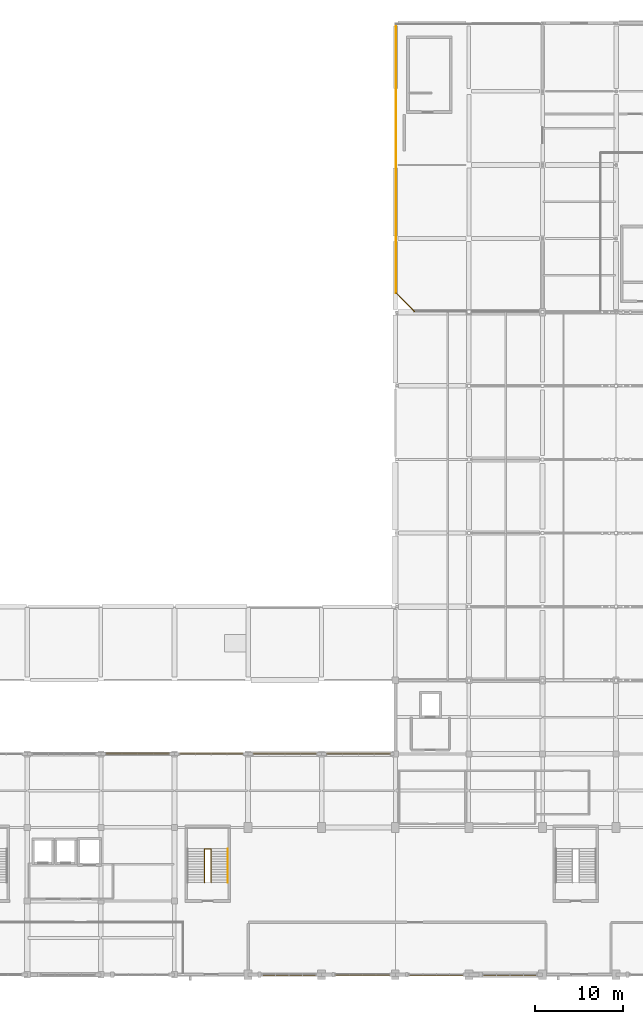
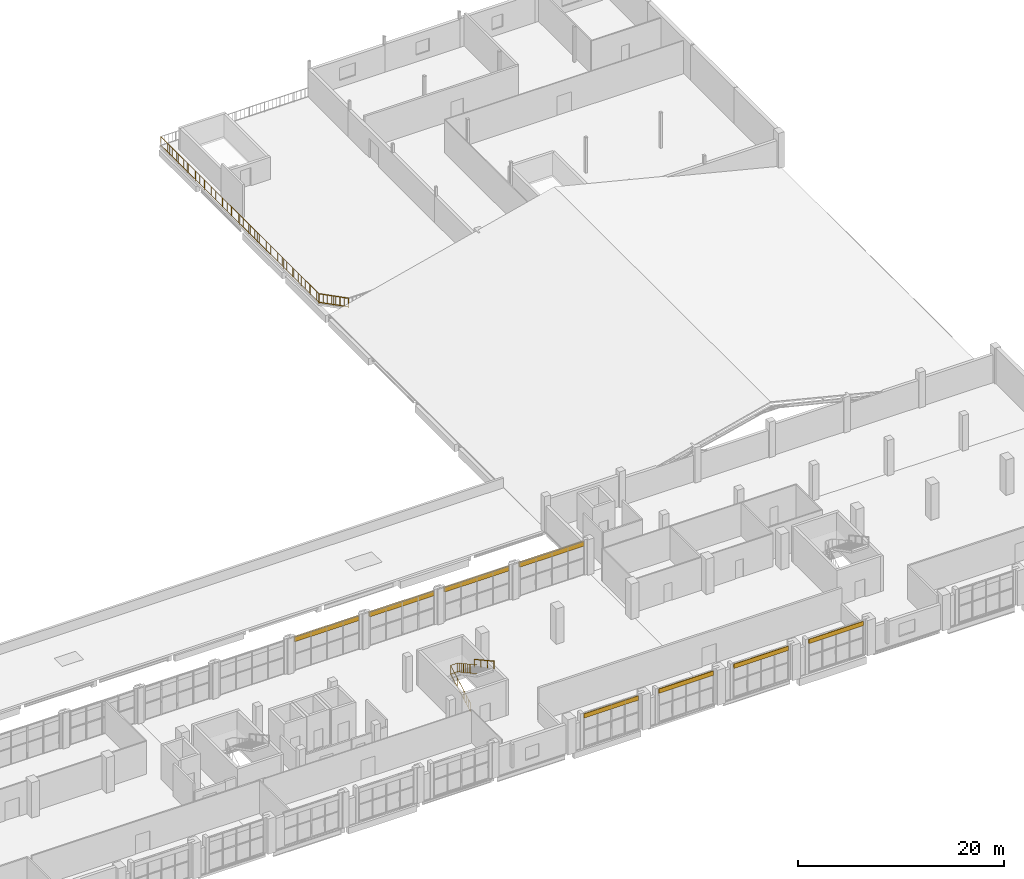
# One storey, part 62 of 64: 4 coverings, 4 railings, 4 shading devices.
"""IFC4 building model written with IfcOpenShell, lengths in metres."""

from ifc_helpers import new_model, si_unit, derived_unit, direction, frame, origin, origin_2d, place, context, subcontext, project, spatial, rectangle, circle, extrude, material, layer, layer_set, type_object, element, save


model = new_model("IFC4")

# Units and contexts
model_context = context("Model", 3, precision=1e-05, world=origin(), true_north=direction((0.0, 1.0)))
body_context = subcontext(model_context, "Body", "Model", "MODEL_VIEW")
ifc_project = project(units=[si_unit("LENGTHUNIT", "METRE"), si_unit("AREAUNIT", "SQUARE_METRE"), si_unit("VOLUMEUNIT", "CUBIC_METRE"), si_unit("PLANEANGLEUNIT", "RADIAN"), si_unit("MASSUNIT", "GRAM", prefix="KILO"), derived_unit("THERMALTRANSMITTANCEUNIT", [(si_unit("POWERUNIT", "WATT"), 1), (si_unit("LENGTHUNIT", "METRE"), -2), (si_unit("THERMODYNAMICTEMPERATUREUNIT", "KELVIN"), -1)])], contexts=[model_context])

# Site, building, storey
site_placement = place(None, origin())
site = spatial("IfcSite", under=ifc_project, at=site_placement, CompositionType="ELEMENT")
building_placement = place(site_placement, origin())
building = spatial("IfcBuilding", under=site, at=building_placement, Name="Barrovel Congress Hotel", CompositionType="ELEMENT")
storey_placement = place(building_placement, frame((0.0, 0.0, 14.10009765625)))
storey = spatial("IfcBuildingStorey", under=building, at=storey_placement, Name="L03", CompositionType="ELEMENT", Elevation=14.10009765625)

# Coverings
ifc_material_1 = material(Name="Glazed Terracotta Spandrel", Category="masonry")
ifc_layer_1 = layer(ifc_material_1, 0.1201171875)
ifc_layer_set_1 = layer_set([ifc_layer_1], Name="Glazed Terracotta Spandrel")
covering_type = type_object("IfcCoveringType", Name="COV-CLAD-TERRA", PredefinedType="CLADDING", material=ifc_layer_set_1)
for number, where, z_axis, x_axis, name in (
    (1, (113.8798828125, 4.14990234375, 3.409912109375), (0.0, 0.0, 1.0), (1.0, 0.0, 0.0), "CLAD:L03:S:13"),
    (2, (122.280029296875, 4.14990234375, 3.409912109375), (0.0, 0.0, 1.0), (1.0, 0.0, 0.0), "CLAD:L03:S:14"),
    (3, (130.679931640625, 4.14990234375, 3.409912109375), (0.0, 0.0, 1.0), (1.0, 0.0, 0.0), "CLAD:L03:S:15"),
    (4, (139.080078125, 4.14990234375, 3.409912109375), (0.0, 0.0, 1.0), (1.0, 0.0, 0.0), "CLAD:L03:S:16"),
):
    element("IfcCovering", number, at=place(storey_placement, frame(where, z_axis=z_axis, x_axis=x_axis)), inside=storey, type_object=covering_type, Name=name, PredefinedType="CLADDING", context=body_context, shape_type="SweptSolid", body=[
        extrude(rectangle(XDim=6.1201171875, YDim=0.1201171875, at=origin_2d()), origin(), (0.0, 0.0, 1.0), 0.52001953125),
    ])

# Railings
ifc_material_2 = material(Name="Painted Architectural Steel", Category="steel")
ifc_layer_2 = layer(ifc_material_2, 0.080078125)
ifc_layer_set_2 = layer_set([ifc_layer_2], Name="Painted Architectural Steel")
railing_type_1 = type_object("IfcRailingType", Name="RAIL-GUARD-EXT", PredefinedType="BALUSTRADE", material=ifc_layer_set_2)
railing_1_placement = place(storey_placement, frame((128.199951171875, 79.89990234375, 0.0)))
element("IfcRailing", 5, at=railing_1_placement, inside=storey, type_object=railing_type_1, Name="Spa Roof Terrace Guardrail 2", PredefinedType="BALUSTRADE", context=body_context, shape_type="SweptSolid", body=[
    extrude(circle(Radius=0.02392578125, at=origin_2d()), frame((0.0, 0.0, 1.11572265625), z_axis=(-0.707065676302, 0.707147883682, 0.0), x_axis=(-0.707147883682, -0.707065676302, 0.0)), (0.0, 0.0, 1.0), 2.9697265625),
    extrude(circle(Radius=0.02392578125, at=origin_2d()), frame((0.0, 0.0, 0.10009765625), z_axis=(-0.707065676302, 0.707147883682, 0.0), x_axis=(-0.707147883682, -0.707065676302, 0.0)), (0.0, 0.0, 1.0), 2.9697265625),
    extrude(circle(Radius=0.010009765625, at=origin_2d()), frame((-0.300048828125, 0.300048828125, 0.10009765625)), (0.0, 0.0, 1.0), 0.99169921875),
    extrude(circle(Radius=0.010009765625, at=origin_2d()), frame((-0.599853515625, 0.60009765625, 0.10009765625)), (0.0, 0.0, 1.0), 0.99169921875),
    extrude(circle(Radius=0.010009765625, at=origin_2d()), frame((-0.89990234375, 0.900146484375, 0.10009765625)), (0.0, 0.0, 1.0), 0.99169921875),
    extrude(circle(Radius=0.010009765625, at=origin_2d()), frame((-1.199951171875, 1.199951171875, 0.10009765625)), (0.0, 0.0, 1.0), 0.99169921875),
    extrude(circle(Radius=0.010009765625, at=origin_2d()), frame((-1.5, 1.5, 0.10009765625)), (0.0, 0.0, 1.0), 0.99169921875),
    extrude(circle(Radius=0.010009765625, at=origin_2d()), frame((-1.7998046875, 1.800048828125, 0.10009765625)), (0.0, 0.0, 1.0), 0.99169921875),
    extrude(circle(Radius=0.02099609375, at=origin_2d()), origin(), (0.0, 0.0, 1.0), 1.091796875),
    extrude(circle(Radius=0.02099609375, at=origin_2d()), frame((-1.0498046875, 1.050048828125, 0.0)), (0.0, 0.0, 1.0), 1.091796875),
    extrude(circle(Radius=0.02099609375, at=origin_2d()), frame((-2.099853515625, 2.10009765625, 0.0)), (0.0, 0.0, 1.0), 1.091796875),
])
railing_2_placement = place(storey_placement, frame((126.10009765625, 82.0, 0.0)))
element("IfcRailing", 6, at=railing_2_placement, inside=storey, type_object=railing_type_1, Name="Spa Roof Terrace Guardrail 3", PredefinedType="BALUSTRADE", context=body_context, shape_type="SweptSolid", body=[
    extrude(circle(Radius=0.02392578125, at=origin_2d()), frame((0.0, 0.0, 1.11572265625), z_axis=(0.0, 1.0, 0.0), x_axis=(-1.0, 0.0, 0.0)), (0.0, 0.0, 1.0), 30.699951171875),
    extrude(circle(Radius=0.02392578125, at=origin_2d()), frame((0.0, 0.0, 0.10009765625), z_axis=(0.0, 1.0, 0.0), x_axis=(-1.0, 0.0, 0.0)), (0.0, 0.0, 1.0), 30.699951171875),
    extrude(circle(Radius=0.010009765625, at=origin_2d()), frame((0.0, 0.44482421875, 0.10009765625)), (0.0, 0.0, 1.0), 0.99169921875),
    extrude(circle(Radius=0.010009765625, at=origin_2d()), frame((0.0, 0.889892578125, 0.10009765625)), (0.0, 0.0, 1.0), 0.99169921875),
    extrude(circle(Radius=0.010009765625, at=origin_2d()), frame((0.0, 1.334716796875, 0.10009765625)), (0.0, 0.0, 1.0), 0.99169921875),
    extrude(circle(Radius=0.010009765625, at=origin_2d()), frame((0.0, 1.77978515625, 0.10009765625)), (0.0, 0.0, 1.0), 0.99169921875),
    extrude(circle(Radius=0.010009765625, at=origin_2d()), frame((0.0, 2.224609375, 0.10009765625)), (0.0, 0.0, 1.0), 0.99169921875),
    extrude(circle(Radius=0.010009765625, at=origin_2d()), frame((0.0, 2.669677734375, 0.10009765625)), (0.0, 0.0, 1.0), 0.99169921875),
    extrude(circle(Radius=0.010009765625, at=origin_2d()), frame((0.0, 3.114501953125, 0.10009765625)), (0.0, 0.0, 1.0), 0.99169921875),
    extrude(circle(Radius=0.010009765625, at=origin_2d()), frame((0.0, 3.559326171875, 0.10009765625)), (0.0, 0.0, 1.0), 0.99169921875),
    extrude(circle(Radius=0.010009765625, at=origin_2d()), frame((0.0, 4.00439453125, 0.10009765625)), (0.0, 0.0, 1.0), 0.99169921875),
    extrude(circle(Radius=0.010009765625, at=origin_2d()), frame((0.0, 4.44921875, 0.10009765625)), (0.0, 0.0, 1.0), 0.99169921875),
    extrude(circle(Radius=0.010009765625, at=origin_2d()), frame((0.0, 4.894287109375, 0.10009765625)), (0.0, 0.0, 1.0), 0.99169921875),
    extrude(circle(Radius=0.010009765625, at=origin_2d()), frame((0.0, 5.339111328125, 0.10009765625)), (0.0, 0.0, 1.0), 0.99169921875),
    extrude(circle(Radius=0.010009765625, at=origin_2d()), frame((0.0, 5.783935546875, 0.10009765625)), (0.0, 0.0, 1.0), 0.99169921875),
    extrude(circle(Radius=0.010009765625, at=origin_2d()), frame((0.0, 6.22900390625, 0.10009765625)), (0.0, 0.0, 1.0), 0.99169921875),
    extrude(circle(Radius=0.010009765625, at=origin_2d()), frame((0.0, 6.673828125, 0.10009765625)), (0.0, 0.0, 1.0), 0.99169921875),
    extrude(circle(Radius=0.010009765625, at=origin_2d()), frame((0.0, 7.118896484375, 0.10009765625)), (0.0, 0.0, 1.0), 0.99169921875),
    extrude(circle(Radius=0.010009765625, at=origin_2d()), frame((0.0, 7.563720703125, 0.10009765625)), (0.0, 0.0, 1.0), 0.99169921875),
    extrude(circle(Radius=0.010009765625, at=origin_2d()), frame((0.0, 8.0087890625, 0.10009765625)), (0.0, 0.0, 1.0), 0.99169921875),
    extrude(circle(Radius=0.010009765625, at=origin_2d()), frame((0.0, 8.45361328125, 0.10009765625)), (0.0, 0.0, 1.0), 0.99169921875),
    extrude(circle(Radius=0.010009765625, at=origin_2d()), frame((0.0, 8.8984375, 0.10009765625)), (0.0, 0.0, 1.0), 0.99169921875),
    extrude(circle(Radius=0.010009765625, at=origin_2d()), frame((0.0, 9.343505859375, 0.10009765625)), (0.0, 0.0, 1.0), 0.99169921875),
    extrude(circle(Radius=0.010009765625, at=origin_2d()), frame((0.0, 9.788330078125, 0.10009765625)), (0.0, 0.0, 1.0), 0.99169921875),
    extrude(circle(Radius=0.010009765625, at=origin_2d()), frame((0.0, 10.2333984375, 0.10009765625)), (0.0, 0.0, 1.0), 0.99169921875),
    extrude(circle(Radius=0.010009765625, at=origin_2d()), frame((0.0, 10.67822265625, 0.10009765625)), (0.0, 0.0, 1.0), 0.99169921875),
    extrude(circle(Radius=0.010009765625, at=origin_2d()), frame((0.0, 11.123291015625, 0.10009765625)), (0.0, 0.0, 1.0), 0.99169921875),
    extrude(circle(Radius=0.010009765625, at=origin_2d()), frame((0.0, 11.568115234375, 0.10009765625)), (0.0, 0.0, 1.0), 0.99169921875),
    extrude(circle(Radius=0.010009765625, at=origin_2d()), frame((0.0, 12.012939453125, 0.10009765625)), (0.0, 0.0, 1.0), 0.99169921875),
    extrude(circle(Radius=0.010009765625, at=origin_2d()), frame((0.0, 12.4580078125, 0.10009765625)), (0.0, 0.0, 1.0), 0.99169921875),
    extrude(circle(Radius=0.010009765625, at=origin_2d()), frame((0.0, 12.90283203125, 0.10009765625)), (0.0, 0.0, 1.0), 0.99169921875),
    extrude(circle(Radius=0.010009765625, at=origin_2d()), frame((0.0, 13.347900390625, 0.10009765625)), (0.0, 0.0, 1.0), 0.99169921875),
    extrude(circle(Radius=0.010009765625, at=origin_2d()), frame((0.0, 13.792724609375, 0.10009765625)), (0.0, 0.0, 1.0), 0.99169921875),
    extrude(circle(Radius=0.010009765625, at=origin_2d()), frame((0.0, 14.237548828125, 0.10009765625)), (0.0, 0.0, 1.0), 0.99169921875),
    extrude(circle(Radius=0.010009765625, at=origin_2d()), frame((0.0, 14.6826171875, 0.10009765625)), (0.0, 0.0, 1.0), 0.99169921875),
    extrude(circle(Radius=0.010009765625, at=origin_2d()), frame((0.0, 15.12744140625, 0.10009765625)), (0.0, 0.0, 1.0), 0.99169921875),
    extrude(circle(Radius=0.010009765625, at=origin_2d()), frame((0.0, 15.572509765625, 0.10009765625)), (0.0, 0.0, 1.0), 0.99169921875),
    extrude(circle(Radius=0.010009765625, at=origin_2d()), frame((0.0, 16.017333984375, 0.10009765625)), (0.0, 0.0, 1.0), 0.99169921875),
    extrude(circle(Radius=0.010009765625, at=origin_2d()), frame((0.0, 16.46240234375, 0.10009765625)), (0.0, 0.0, 1.0), 0.99169921875),
    extrude(circle(Radius=0.010009765625, at=origin_2d()), frame((0.0, 16.9072265625, 0.10009765625)), (0.0, 0.0, 1.0), 0.99169921875),
    extrude(circle(Radius=0.010009765625, at=origin_2d()), frame((0.0, 17.35205078125, 0.10009765625)), (0.0, 0.0, 1.0), 0.99169921875),
    extrude(circle(Radius=0.010009765625, at=origin_2d()), frame((0.0, 17.797119140625, 0.10009765625)), (0.0, 0.0, 1.0), 0.99169921875),
    extrude(circle(Radius=0.010009765625, at=origin_2d()), frame((0.0, 18.241943359375, 0.10009765625)), (0.0, 0.0, 1.0), 0.99169921875),
    extrude(circle(Radius=0.010009765625, at=origin_2d()), frame((0.0, 18.68701171875, 0.10009765625)), (0.0, 0.0, 1.0), 0.99169921875),
    extrude(circle(Radius=0.010009765625, at=origin_2d()), frame((0.0, 19.1318359375, 0.10009765625)), (0.0, 0.0, 1.0), 0.99169921875),
    extrude(circle(Radius=0.010009765625, at=origin_2d()), frame((0.0, 19.57666015625, 0.10009765625)), (0.0, 0.0, 1.0), 0.99169921875),
    extrude(circle(Radius=0.010009765625, at=origin_2d()), frame((0.0, 20.021728515625, 0.10009765625)), (0.0, 0.0, 1.0), 0.99169921875),
    extrude(circle(Radius=0.010009765625, at=origin_2d()), frame((0.0, 20.466552734375, 0.10009765625)), (0.0, 0.0, 1.0), 0.99169921875),
    extrude(circle(Radius=0.010009765625, at=origin_2d()), frame((0.0, 20.91162109375, 0.10009765625)), (0.0, 0.0, 1.0), 0.99169921875),
    extrude(circle(Radius=0.010009765625, at=origin_2d()), frame((0.0, 21.3564453125, 0.10009765625)), (0.0, 0.0, 1.0), 0.99169921875),
    extrude(circle(Radius=0.010009765625, at=origin_2d()), frame((0.0, 21.801513671875, 0.10009765625)), (0.0, 0.0, 1.0), 0.99169921875),
    extrude(circle(Radius=0.010009765625, at=origin_2d()), frame((0.0, 22.246337890625, 0.10009765625)), (0.0, 0.0, 1.0), 0.99169921875),
    extrude(circle(Radius=0.010009765625, at=origin_2d()), frame((0.0, 22.691162109375, 0.10009765625)), (0.0, 0.0, 1.0), 0.99169921875),
    extrude(circle(Radius=0.010009765625, at=origin_2d()), frame((0.0, 23.13623046875, 0.10009765625)), (0.0, 0.0, 1.0), 0.99169921875),
    extrude(circle(Radius=0.010009765625, at=origin_2d()), frame((0.0, 23.5810546875, 0.10009765625)), (0.0, 0.0, 1.0), 0.99169921875),
    extrude(circle(Radius=0.010009765625, at=origin_2d()), frame((0.0, 24.026123046875, 0.10009765625)), (0.0, 0.0, 1.0), 0.99169921875),
    extrude(circle(Radius=0.010009765625, at=origin_2d()), frame((0.0, 24.470947265625, 0.10009765625)), (0.0, 0.0, 1.0), 0.99169921875),
    extrude(circle(Radius=0.010009765625, at=origin_2d()), frame((0.0, 24.916015625, 0.10009765625)), (0.0, 0.0, 1.0), 0.99169921875),
    extrude(circle(Radius=0.010009765625, at=origin_2d()), frame((0.0, 25.36083984375, 0.10009765625)), (0.0, 0.0, 1.0), 0.99169921875),
    extrude(circle(Radius=0.010009765625, at=origin_2d()), frame((0.0, 25.8056640625, 0.10009765625)), (0.0, 0.0, 1.0), 0.99169921875),
    extrude(circle(Radius=0.010009765625, at=origin_2d()), frame((0.0, 26.250732421875, 0.10009765625)), (0.0, 0.0, 1.0), 0.99169921875),
    extrude(circle(Radius=0.010009765625, at=origin_2d()), frame((0.0, 26.695556640625, 0.10009765625)), (0.0, 0.0, 1.0), 0.99169921875),
    extrude(circle(Radius=0.010009765625, at=origin_2d()), frame((0.0, 27.140625, 0.10009765625)), (0.0, 0.0, 1.0), 0.99169921875),
    extrude(circle(Radius=0.010009765625, at=origin_2d()), frame((0.0, 27.58544921875, 0.10009765625)), (0.0, 0.0, 1.0), 0.99169921875),
    extrude(circle(Radius=0.010009765625, at=origin_2d()), frame((0.0, 28.0302734375, 0.10009765625)), (0.0, 0.0, 1.0), 0.99169921875),
    extrude(circle(Radius=0.010009765625, at=origin_2d()), frame((0.0, 28.475341796875, 0.10009765625)), (0.0, 0.0, 1.0), 0.99169921875),
    extrude(circle(Radius=0.010009765625, at=origin_2d()), frame((0.0, 28.920166015625, 0.10009765625)), (0.0, 0.0, 1.0), 0.99169921875),
    extrude(circle(Radius=0.010009765625, at=origin_2d()), frame((0.0, 29.365234375, 0.10009765625)), (0.0, 0.0, 1.0), 0.99169921875),
    extrude(circle(Radius=0.010009765625, at=origin_2d()), frame((0.0, 29.81005859375, 0.10009765625)), (0.0, 0.0, 1.0), 0.99169921875),
    extrude(circle(Radius=0.010009765625, at=origin_2d()), frame((0.0, 30.255126953125, 0.10009765625)), (0.0, 0.0, 1.0), 0.99169921875),
    extrude(circle(Radius=0.02099609375, at=origin_2d()), origin(), (0.0, 0.0, 1.0), 1.091796875),
    extrude(circle(Radius=0.02099609375, at=origin_2d()), frame((0.0, 1.70556640625, 0.0)), (0.0, 0.0, 1.0), 1.091796875),
    extrude(circle(Radius=0.02099609375, at=origin_2d()), frame((0.0, 3.4111328125, 0.0)), (0.0, 0.0, 1.0), 1.091796875),
    extrude(circle(Radius=0.02099609375, at=origin_2d()), frame((0.0, 5.11669921875, 0.0)), (0.0, 0.0, 1.0), 1.091796875),
    extrude(circle(Radius=0.02099609375, at=origin_2d()), frame((0.0, 6.822265625, 0.0)), (0.0, 0.0, 1.0), 1.091796875),
    extrude(circle(Radius=0.02099609375, at=origin_2d()), frame((0.0, 8.52783203125, 0.0)), (0.0, 0.0, 1.0), 1.091796875),
    extrude(circle(Radius=0.02099609375, at=origin_2d()), frame((0.0, 10.2333984375, 0.0)), (0.0, 0.0, 1.0), 1.091796875),
    extrude(circle(Radius=0.02099609375, at=origin_2d()), frame((0.0, 11.93896484375, 0.0)), (0.0, 0.0, 1.0), 1.091796875),
    extrude(circle(Radius=0.02099609375, at=origin_2d()), frame((0.0, 13.64453125, 0.0)), (0.0, 0.0, 1.0), 1.091796875),
    extrude(circle(Radius=0.02099609375, at=origin_2d()), frame((0.0, 15.35009765625, 0.0)), (0.0, 0.0, 1.0), 1.091796875),
    extrude(circle(Radius=0.02099609375, at=origin_2d()), frame((0.0, 17.055419921875, 0.0)), (0.0, 0.0, 1.0), 1.091796875),
    extrude(circle(Radius=0.02099609375, at=origin_2d()), frame((0.0, 18.760986328125, 0.0)), (0.0, 0.0, 1.0), 1.091796875),
    extrude(circle(Radius=0.02099609375, at=origin_2d()), frame((0.0, 20.466552734375, 0.0)), (0.0, 0.0, 1.0), 1.091796875),
    extrude(circle(Radius=0.02099609375, at=origin_2d()), frame((0.0, 22.172119140625, 0.0)), (0.0, 0.0, 1.0), 1.091796875),
    extrude(circle(Radius=0.02099609375, at=origin_2d()), frame((0.0, 23.877685546875, 0.0)), (0.0, 0.0, 1.0), 1.091796875),
    extrude(circle(Radius=0.02099609375, at=origin_2d()), frame((0.0, 25.583251953125, 0.0)), (0.0, 0.0, 1.0), 1.091796875),
    extrude(circle(Radius=0.02099609375, at=origin_2d()), frame((0.0, 27.288818359375, 0.0)), (0.0, 0.0, 1.0), 1.091796875),
    extrude(circle(Radius=0.02099609375, at=origin_2d()), frame((0.0, 28.994384765625, 0.0)), (0.0, 0.0, 1.0), 1.091796875),
    extrude(circle(Radius=0.02099609375, at=origin_2d()), frame((0.0, 30.699951171875, 0.0)), (0.0, 0.0, 1.0), 1.091796875),
])
ifc_layer_3 = layer(ifc_material_2, 0.070068359375)
ifc_layer_set_3 = layer_set([ifc_layer_3], Name="Painted Architectural Steel")
railing_type_2 = type_object("IfcRailingType", Name="RAIL-GUARD-INT", PredefinedType="BALUSTRADE", material=ifc_layer_set_3)
railing_3_placement = place(storey_placement, frame((104.219970703125, 14.739990234375, 0.0)))
element("IfcRailing", 7, at=railing_3_placement, inside=storey, type_object=railing_type_2, Name="STAIR:XS-03:L03:GR-W", PredefinedType="BALUSTRADE", context=body_context, shape_type="SweptSolid", body=[
    extrude(circle(Radius=0.02392578125, at=origin_2d()), frame((0.0, 0.0, 1.11572265625), z_axis=(0.0, 0.875521142395, 0.483179810442), x_axis=(-1.0, 0.0, 0.0)), (0.0, 0.0, 1.0), 4.345947265625),
    extrude(circle(Radius=0.02392578125, at=origin_2d()), frame((0.0, 0.0, 0.10009765625), z_axis=(0.0, 0.875521142395, 0.483179810442), x_axis=(-1.0, 0.0, 0.0)), (0.0, 0.0, 1.0), 4.345947265625),
    extrude(circle(Radius=0.010009765625, at=origin_2d()), frame((0.0, 0.38037109375, 0.31005859375)), (0.0, 0.0, 1.0), 0.99169921875),
    extrude(circle(Radius=0.010009765625, at=origin_2d()), frame((0.0, 0.760986328125, 0.52001953125)), (0.0, 0.0, 1.0), 0.99169921875),
    extrude(circle(Radius=0.010009765625, at=origin_2d()), frame((0.0, 1.1416015625, 0.72998046875)), (0.0, 0.0, 1.0), 0.99169921875),
    extrude(circle(Radius=0.010009765625, at=origin_2d()), frame((0.0, 1.52197265625, 0.93994140625)), (0.0, 0.0, 1.0), 0.99169921875),
    extrude(circle(Radius=0.010009765625, at=origin_2d()), frame((0.0, 1.90234375, 1.14990234375)), (0.0, 0.0, 1.0), 0.99169921875),
    extrude(circle(Radius=0.010009765625, at=origin_2d()), frame((0.0, 2.282958984375, 1.35986328125)), (0.0, 0.0, 1.0), 0.99169921875),
    extrude(circle(Radius=0.010009765625, at=origin_2d()), frame((0.0, 2.66357421875, 1.56982421875)), (0.0, 0.0, 1.0), 0.99169921875),
    extrude(circle(Radius=0.010009765625, at=origin_2d()), frame((0.0, 3.0439453125, 1.77978515625)), (0.0, 0.0, 1.0), 0.99169921875),
    extrude(circle(Radius=0.010009765625, at=origin_2d()), frame((0.0, 3.42431640625, 1.989990234375)), (0.0, 0.0, 1.0), 0.99169921875),
    extrude(circle(Radius=0.02392578125, at=origin_2d()), frame((0.0, 3.804931640625, 3.2158203125), z_axis=(1.0, 0.0, 0.0), x_axis=(0.0, 1.0, 0.0)), (0.0, 0.0, 1.0), 0.760009765625),
    extrude(circle(Radius=0.02392578125, at=origin_2d()), frame((0.0, 3.804931640625, 2.199951171875), z_axis=(1.0, 0.0, 0.0), x_axis=(0.0, 1.0, 0.0)), (0.0, 0.0, 1.0), 0.760009765625),
    extrude(circle(Radius=0.010009765625, at=origin_2d()), frame((0.3798828125, 3.804931640625, 2.199951171875)), (0.0, 0.0, 1.0), 0.99169921875),
    extrude(circle(Radius=0.02392578125, at=origin_2d()), frame((0.760009765625, 3.804931640625, 3.2158203125), z_axis=(0.0, -0.875497377122, 0.483222870581), x_axis=(1.0, 0.0, 0.0)), (0.0, 0.0, 1.0), 4.345947265625),
    extrude(circle(Radius=0.02392578125, at=origin_2d()), frame((0.760009765625, 3.804931640625, 2.199951171875), z_axis=(0.0, -0.875497377122, 0.483222870581), x_axis=(1.0, 0.0, 0.0)), (0.0, 0.0, 1.0), 4.345947265625),
    extrude(circle(Radius=0.010009765625, at=origin_2d()), frame((0.760009765625, 3.42431640625, 2.409912109375)), (0.0, 0.0, 1.0), 0.99169921875),
    extrude(circle(Radius=0.010009765625, at=origin_2d()), frame((0.760009765625, 3.0439453125, 2.619873046875)), (0.0, 0.0, 1.0), 0.99169921875),
    extrude(circle(Radius=0.010009765625, at=origin_2d()), frame((0.760009765625, 2.66357421875, 2.829833984375)), (0.0, 0.0, 1.0), 0.99169921875),
    extrude(circle(Radius=0.010009765625, at=origin_2d()), frame((0.760009765625, 2.282958984375, 3.039794921875)), (0.0, 0.0, 1.0), 0.99169921875),
    extrude(circle(Radius=0.010009765625, at=origin_2d()), frame((0.760009765625, 1.90234375, 3.25)), (0.0, 0.0, 1.0), 0.99169921875),
    extrude(circle(Radius=0.010009765625, at=origin_2d()), frame((0.760009765625, 1.52197265625, 3.4599609375)), (0.0, 0.0, 1.0), 0.99169921875),
    extrude(circle(Radius=0.010009765625, at=origin_2d()), frame((0.760009765625, 1.1416015625, 3.669921875)), (0.0, 0.0, 1.0), 0.99169921875),
    extrude(circle(Radius=0.010009765625, at=origin_2d()), frame((0.760009765625, 0.760986328125, 3.8798828125)), (0.0, 0.0, 1.0), 0.99169921875),
    extrude(circle(Radius=0.010009765625, at=origin_2d()), frame((0.760009765625, 0.38037109375, 4.08984375)), (0.0, 0.0, 1.0), 0.99169921875),
    extrude(circle(Radius=0.02099609375, at=origin_2d()), origin(), (0.0, 0.0, 1.0), 1.091796875),
    extrude(circle(Radius=0.02099609375, at=origin_2d()), frame((0.0, 1.268310546875, 0.699951171875)), (0.0, 0.0, 1.0), 1.091796875),
    extrude(circle(Radius=0.02099609375, at=origin_2d()), frame((0.0, 2.53662109375, 1.39990234375)), (0.0, 0.0, 1.0), 1.091796875),
    extrude(circle(Radius=0.02099609375, at=origin_2d()), frame((0.0, 3.804931640625, 2.099853515625)), (0.0, 0.0, 1.0), 1.091796875),
    extrude(circle(Radius=0.02099609375, at=origin_2d()), frame((0.760009765625, 3.804931640625, 2.099853515625)), (0.0, 0.0, 1.0), 1.091796875),
    extrude(circle(Radius=0.02099609375, at=origin_2d()), frame((0.760009765625, 2.53662109375, 2.7998046875)), (0.0, 0.0, 1.0), 1.091796875),
    extrude(circle(Radius=0.02099609375, at=origin_2d()), frame((0.760009765625, 1.268310546875, 3.5)), (0.0, 0.0, 1.0), 1.091796875),
    extrude(circle(Radius=0.02099609375, at=origin_2d()), frame((0.760009765625, 0.0, 4.199951171875)), (0.0, 0.0, 1.0), 1.091796875),
])
ifc_material_3 = material(Name="Brushed Stainless Steel", Category="steel")
ifc_layer_4 = layer(ifc_material_3, 0.050048828125)
ifc_layer_set_4 = layer_set([ifc_layer_4], Name="Brushed Stainless Steel")
railing_type_3 = type_object("IfcRailingType", Name="RAIL-HAND", PredefinedType="HANDRAIL", material=ifc_layer_set_4)
railing_4_placement = place(storey_placement, frame((106.8798828125, 18.544921875, 2.099853515625)))
element("IfcRailing", 8, at=railing_4_placement, inside=storey, type_object=railing_type_3, Name="STAIR:XS-03:L03:HR-2", PredefinedType="HANDRAIL", context=body_context, shape_type="SweptSolid", body=[
    extrude(circle(Radius=0.02392578125, at=origin_2d()), frame((0.0, 0.0, 0.89599609375), z_axis=(0.0, -0.875497377122, 0.483222870581), x_axis=(1.0, 0.0, 0.0)), (0.0, 0.0, 1.0), 4.345947265625),
    extrude(circle(Radius=0.02099609375, at=origin_2d()), origin(), (0.0, 0.0, 1.0), 0.871826171875),
    extrude(circle(Radius=0.02099609375, at=origin_2d()), frame((0.0, -1.268310546875, 0.699951171875)), (0.0, 0.0, 1.0), 0.871826171875),
    extrude(circle(Radius=0.02099609375, at=origin_2d()), frame((0.0, -2.53662109375, 1.400146484375)), (0.0, 0.0, 1.0), 0.871826171875),
    extrude(circle(Radius=0.02099609375, at=origin_2d()), frame((0.0, -3.804931640625, 2.10009765625)), (0.0, 0.0, 1.0), 0.871826171875),
])

# Shading devices
ifc_material_4 = material(Name="Extruded Terracotta Louvres", Category="masonry")
shading_device_type = type_object("IfcShadingDeviceType", Name="SHD-CELOSIA", PredefinedType="JALOUSIE", material=ifc_material_4)
for number, where, z_axis, x_axis, name in (
    (9, (121.800048828125, 29.4599609375, 3.36474609375), (0.0, 0.0, 1.0), (1.0, 0.0, 0.0), "CEL:L03:CS:14"),
    (10, (113.39990234375, 29.4599609375, 3.36474609375), (0.0, 0.0, 1.0), (1.0, 0.0, 0.0), "CEL:L03:CS:13"),
    (11, (105.0, 29.4599609375, 3.36474609375), (0.0, 0.0, 1.0), (1.0, 0.0, 0.0), "CEL:L03:CS:12"),
    (12, (96.60009765625, 29.4599609375, 3.36474609375), (0.0, 0.0, 1.0), (1.0, 0.0, 0.0), "CEL:L03:CS:11"),
):
    element("IfcShadingDevice", number, at=place(storey_placement, frame(where, z_axis=z_axis, x_axis=x_axis)), inside=storey, type_object=shading_device_type, Name=name, PredefinedType="JALOUSIE", context=body_context, shape_type="SweptSolid", body=[
        extrude(rectangle(XDim=7.199951171875, YDim=0.179931640625, at=origin_2d()), origin(), (0.0, 0.0, 1.0), 0.550048828125),
    ])

save(model, "model.ifc")
